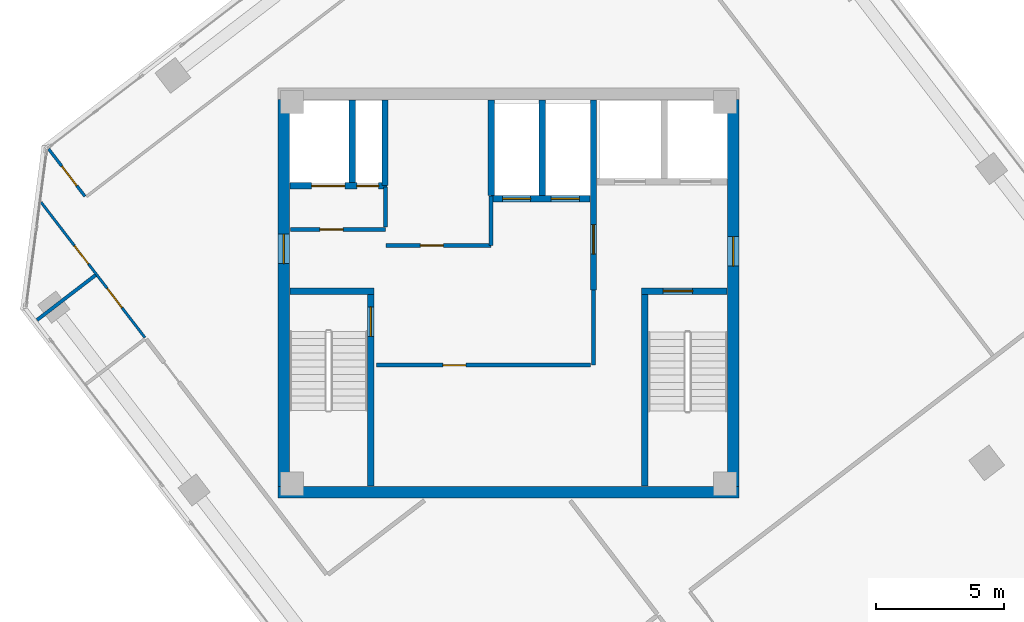
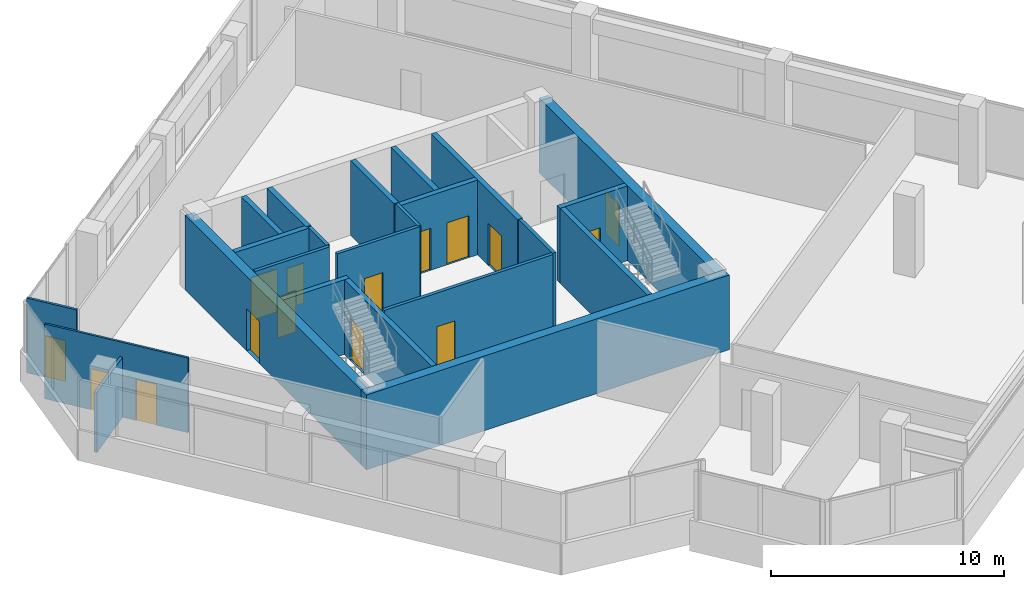
# One storey, part 13 of 17: 23 walls, 15 doors, 15 openings.
"""IFC4 building model written with IfcOpenShell, lengths in metres."""

from ifc_helpers import new_model, si_unit, direction, frame, frame_2d, origin, place, context, subcontext, project, spatial, rectangle, extrude, source, transform, mapped, material, layer, layer_set, type_object, element, fill, save


model = new_model("IFC4")

# Units and contexts
model_context = context("Model", 3, precision=1e-05, world=origin(), true_north=direction((0.0, 1.0)))
body_context = subcontext(model_context, "Body", "Model", "MODEL_VIEW")
ifc_project = project(units=[si_unit("LENGTHUNIT", "METRE"), si_unit("AREAUNIT", "SQUARE_METRE"), si_unit("VOLUMEUNIT", "CUBIC_METRE"), si_unit("PLANEANGLEUNIT", "RADIAN"), si_unit("MASSUNIT", "GRAM", prefix="KILO")], contexts=[model_context])

# Site, building, storey
site_placement = place(None, origin())
site = spatial("IfcSite", under=ifc_project, at=site_placement, CompositionType="ELEMENT")
building_placement = place(site_placement, origin())
building = spatial("IfcBuilding", under=site, at=building_placement, Name="Torre Montelarca", CompositionType="ELEMENT")
storey_placement = place(building_placement, frame((0.0, 0.0, 283.60009765625)))
storey = spatial("IfcBuildingStorey", under=building, at=storey_placement, Name="L64", CompositionType="ELEMENT", Elevation=283.60009765625)

# Wall, opening, door
ifc_material_1 = material(Name="Concrete C40/50", Category="concrete")
ifc_layer_1 = layer(ifc_material_1, 0.25, Name="Concrete C40/50", Category="concrete")
ifc_layer_set_1 = layer_set([ifc_layer_1], Name="Concrete C40/50")
wall_type_1 = type_object("IfcWallType", Name="CW-SHAFT-250", PredefinedType="SHEAR", material=ifc_layer_set_1)
wall_1_placement = place(storey_placement, frame((12.625, 24.4599609375, 0.0), z_axis=(0.0, 0.0, 1.0), x_axis=(0.0, 1.0, 0.0)))
wall_1 = element("IfcWall", 1, at=wall_1_placement, inside=storey, type_object=wall_type_1, Name="L64 Core Shear Wall SH-ST1-E", PredefinedType="SHEAR", context=body_context, shape_type="SweptSolid", body=[
    extrude(rectangle(XDim=7.489990234375, YDim=0.25, at=frame_2d((3.7451171875, 0.0))), origin(), (0.0, 0.0, 1.0), 3.919921875),
])
opening_1_placement = place(wall_1_placement, frame((5.85009765625, 0.0, 0.0)))
opening_1 = element("IfcOpeningElement", 2, at=opening_1_placement, cuts=wall_1, Name="Opening FD-ST1", PredefinedType="OPENING", context=body_context, shape_type="SweptSolid", body=[
    extrude(rectangle(XDim=1.14990234375, YDim=2.199951171875, at=frame_2d((0.574951171875, 1.10009765625))), frame((0.0, 0.135009765625, 0.0), z_axis=(0.0, -1.0, 0.0), x_axis=(1.0, 0.0, 0.0)), (0.0, 0.0, 1.0), 0.27001953125),
])
ifc_material_2 = material(Name="Galvanized steel fire door", Category="steel")
door_type_1 = type_object("IfcDoorType", Name="DR-STAIR-115", OperationType="NOTDEFINED", PredefinedType="DOOR", material=ifc_material_2)
shared_shape_1 = source(origin(), body_context, "Body", "SweptSolid", [
    extrude(rectangle(XDim=1.14990234375, YDim=2.199951171875, at=frame_2d((0.574951171875, 1.10009765625))), frame((0.0, 0.02490234375, 0.0), z_axis=(0.0, -1.0, 0.0), x_axis=(1.0, 0.0, 0.0)), (0.0, 0.0, 1.0), 0.050048828125),
])
door_1_placement = place(opening_1_placement, origin())
door_1 = element("IfcDoor", 3, at=door_1_placement, inside=storey, type_object=door_type_1, Name="L64 Exit Stair ST1 Fire Door", OperationType="SINGLE_SWING_RIGHT", OverallHeight=2.199951171875, OverallWidth=1.14990234375, PredefinedType="DOOR", context=body_context, shape_type="MappedRepresentation", body=[
    mapped(shared_shape_1, transform((0.0, 0.0, 0.0), scale=1.0)),
])
fill(opening_1, door_1)

# Walls
wall_2_placement = place(storey_placement, frame((9.4599609375, 32.074951171875, 0.0), z_axis=(0.0, 0.0, 1.0), x_axis=(1.0, 0.0, 0.0)))
element("IfcWall", 4, at=wall_2_placement, inside=storey, type_object=wall_type_1, Name="L64 Core Shear Wall SH-ST1-N", PredefinedType="SHEAR", context=body_context, shape_type="SweptSolid", body=[
    extrude(rectangle(XDim=3.2900390625, YDim=0.25, at=frame_2d((1.64501953125, 0.0))), origin(), (0.0, 0.0, 1.0), 3.919921875),
])
wall_3_placement = place(storey_placement, frame((23.31494140625, 24.4599609375, 0.0), z_axis=(0.0, 0.0, 1.0), x_axis=(0.0, 1.0, 0.0)))
element("IfcWall", 5, at=wall_3_placement, inside=storey, type_object=wall_type_1, Name="L64 Core Shear Wall SH-ST2-W", PredefinedType="SHEAR", context=body_context, shape_type="SweptSolid", body=[
    extrude(rectangle(XDim=7.489990234375, YDim=0.25, at=frame_2d((3.7451171875, 0.0))), origin(), (0.0, 0.0, 1.0), 3.919921875),
])

# Wall, opening, door
wall_4_placement = place(storey_placement, frame((23.18994140625, 32.074951171875, 0.0), z_axis=(0.0, 0.0, 1.0), x_axis=(1.0, 0.0, 0.0)))
wall_4 = element("IfcWall", 6, at=wall_4_placement, inside=storey, type_object=wall_type_1, Name="L64 Core Shear Wall SH-ST2-N", PredefinedType="SHEAR", context=body_context, shape_type="SweptSolid", body=[
    extrude(rectangle(XDim=3.35009765625, YDim=0.25, at=frame_2d((1.675048828125, 0.0))), origin(), (0.0, 0.0, 1.0), 3.919921875),
])
opening_2_placement = place(wall_4_placement, frame((0.85009765625, 0.0, 0.0)))
opening_2 = element("IfcOpeningElement", 7, at=opening_2_placement, cuts=wall_4, Name="Opening FD-ST1", PredefinedType="OPENING", context=body_context, shape_type="SweptSolid", body=[
    extrude(rectangle(XDim=1.14990234375, YDim=2.199951171875, at=frame_2d((0.574951171875, 1.10009765625))), frame((0.0, 0.135009765625, 0.0), z_axis=(0.0, -1.0, 0.0), x_axis=(1.0, 0.0, 0.0)), (0.0, 0.0, 1.0), 0.27001953125),
])
door_2_placement = place(opening_2_placement, origin())
door_2 = element("IfcDoor", 8, at=door_2_placement, inside=storey, type_object=door_type_1, Name="L64 Exit Stair ST2 Fire Door", OperationType="SINGLE_SWING_RIGHT", OverallHeight=2.199951171875, OverallWidth=1.14990234375, PredefinedType="DOOR", context=body_context, shape_type="MappedRepresentation", body=[
    mapped(shared_shape_1, transform((0.0, 0.0, 0.0), scale=1.0)),
])
fill(opening_2, door_2)

wall_5_placement = place(storey_placement, frame((21.320068359375, 32.1201171875, 0.0), z_axis=(0.0, 0.0, 1.0), x_axis=(0.0, 1.0, 0.0)))
wall_5 = element("IfcWall", 9, at=wall_5_placement, inside=storey, type_object=wall_type_1, Name="L64 Core Shear Wall SH-FFL-W", PredefinedType="SHEAR", context=body_context, shape_type="SweptSolid", body=[
    extrude(rectangle(XDim=7.419921875, YDim=0.25, at=frame_2d((3.7099609375, 0.0))), origin(), (0.0, 0.0, 1.0), 3.919921875),
])
opening_3_placement = place(wall_5_placement, frame((1.39990234375, 0.0, 0.0)))
opening_3 = element("IfcOpeningElement", 10, at=opening_3_placement, cuts=wall_5, Name="Opening FD-LB1", PredefinedType="OPENING", context=body_context, shape_type="SweptSolid", body=[
    extrude(rectangle(XDim=1.14990234375, YDim=2.199951171875, at=frame_2d((0.574951171875, 1.10009765625))), frame((0.0, 0.135009765625, 0.0), z_axis=(0.0, -1.0, 0.0), x_axis=(1.0, 0.0, 0.0)), (0.0, 0.0, 1.0), 0.27001953125),
])
ifc_material_3 = material(Name="Acoustic timber-veneered fire door", Category="wood")
door_type_2 = type_object("IfcDoorType", Name="DR-LOBBY-115", OperationType="NOTDEFINED", PredefinedType="DOOR", material=ifc_material_3)
shared_shape_2 = source(origin(), body_context, "Body", "SweptSolid", [
    extrude(rectangle(XDim=1.14990234375, YDim=2.199951171875, at=frame_2d((0.574951171875, 1.10009765625))), frame((0.0, 0.02490234375, 0.0), z_axis=(0.0, -1.0, 0.0), x_axis=(1.0, 0.0, 0.0)), (0.0, 0.0, 1.0), 0.050048828125),
])
door_3_placement = place(opening_3_placement, origin())
door_3 = element("IfcDoor", 11, at=door_3_placement, inside=storey, type_object=door_type_2, Name="L64 Lift Lobby to Firefighting Lobby Smoke Door", OperationType="SINGLE_SWING_LEFT", OverallHeight=2.199951171875, OverallWidth=1.14990234375, PredefinedType="DOOR", context=body_context, shape_type="MappedRepresentation", body=[
    mapped(shared_shape_2, transform((0.0, 0.0, 0.0), scale=1.0)),
])
fill(opening_3, door_3)

# Wall, openings, doors
wall_6_placement = place(storey_placement, frame((9.4599609375, 36.179931640625, 0.0), z_axis=(0.0, 0.0, 1.0), x_axis=(1.0, 0.0, 0.0)))
wall_6 = element("IfcWall", 12, at=wall_6_placement, inside=storey, type_object=wall_type_1, Name="L64 Core Shear Wall SH-SV1-S", PredefinedType="SHEAR", context=body_context, shape_type="SweptSolid", body=[
    extrude(rectangle(XDim=3.7900390625, YDim=0.25, at=frame_2d((1.89501953125, 0.0))), origin(), (0.0, 0.0, 1.0), 3.919921875),
])
opening_4_placement = place(wall_6_placement, frame((2.6201171875, 0.0, 0.0)))
opening_4 = element("IfcOpeningElement", 13, at=opening_4_placement, cuts=wall_6, Name="Opening FD-085", PredefinedType="OPENING", context=body_context, shape_type="SweptSolid", body=[
    extrude(rectangle(XDim=0.85009765625, YDim=2.10009765625, at=frame_2d((0.425048828125, 1.050048828125))), frame((0.0, 0.135009765625, 0.0), z_axis=(0.0, -1.0, 0.0), x_axis=(1.0, 0.0, 0.0)), (0.0, 0.0, 1.0), 0.27001953125),
])
opening_5_placement = place(wall_6_placement, frame((0.85009765625, 0.0, 0.0)))
opening_5 = element("IfcOpeningElement", 14, at=opening_5_placement, cuts=wall_6, Name="Opening LD-130", PredefinedType="OPENING", context=body_context, shape_type="SweptSolid", body=[
    extrude(rectangle(XDim=1.300048828125, YDim=2.25, at=frame_2d((0.64990234375, 1.125))), frame((0.0, 0.135009765625, 0.0), z_axis=(0.0, -1.0, 0.0), x_axis=(1.0, 0.0, 0.0)), (0.0, 0.0, 1.0), 0.27001953125),
])
ifc_material_4 = material(Name="Steel riser access fire door", Category="steel")
door_type_3 = type_object("IfcDoorType", Name="DR-RISER-085", OperationType="NOTDEFINED", PredefinedType="DOOR", material=ifc_material_4)
shared_shape_3 = source(origin(), body_context, "Body", "SweptSolid", [
    extrude(rectangle(XDim=0.85009765625, YDim=2.10009765625, at=frame_2d((0.425048828125, 1.050048828125))), frame((0.0, 0.02490234375, 0.0), z_axis=(0.0, -1.0, 0.0), x_axis=(1.0, 0.0, 0.0)), (0.0, 0.0, 1.0), 0.050048828125),
])
door_4_placement = place(opening_4_placement, origin())
door_4 = element("IfcDoor", 15, at=door_4_placement, inside=storey, type_object=door_type_3, Name="L64 Electrical Riser Shaft Access Door", OperationType="SINGLE_SWING_RIGHT", OverallHeight=2.10009765625, OverallWidth=0.85009765625, PredefinedType="DOOR", context=body_context, shape_type="MappedRepresentation", body=[
    mapped(shared_shape_3, transform((0.0, 0.0, 0.0), scale=1.0)),
])
fill(opening_4, door_4)
ifc_material_5 = material(Name="Brushed stainless steel AISI 316", Category="steel")
door_type_4 = type_object("IfcDoorType", Name="DR-LIFT-130", OperationType="SLIDING_TO_LEFT", PredefinedType="DOOR", material=ifc_material_5)
shared_shape_4 = source(origin(), body_context, "Body", "SweptSolid", [
    extrude(rectangle(XDim=1.300048828125, YDim=2.25, at=frame_2d((0.64990234375, 1.125))), frame((0.0, 0.02490234375, 0.0), z_axis=(0.0, -1.0, 0.0), x_axis=(1.0, 0.0, 0.0)), (0.0, 0.0, 1.0), 0.050048828125),
])
door_5_placement = place(opening_5_placement, origin())
door_5 = element("IfcDoor", 16, at=door_5_placement, inside=storey, type_object=door_type_4, Name="L64 Lift Landing Sliding Door SV-1", OperationType="SLIDING_TO_LEFT", OverallHeight=2.25, OverallWidth=1.300048828125, PredefinedType="DOOR", context=body_context, shape_type="MappedRepresentation", body=[
    mapped(shared_shape_4, transform((0.0, 0.0, 0.0), scale=1.0)),
])
fill(opening_5, door_5)

# Walls
wall_7_placement = place(storey_placement, frame((11.89990234375, 36.31005859375, 0.0), z_axis=(0.0, 0.0, 1.0), x_axis=(0.0, 1.0, 0.0)))
element("IfcWall", 17, at=wall_7_placement, inside=storey, type_object=wall_type_1, Name="L64 Core Shear Wall SH-SV1-E", PredefinedType="SHEAR", context=body_context, shape_type="SweptSolid", body=[
    extrude(rectangle(XDim=3.22998046875, YDim=0.25, at=frame_2d((1.614990234375, 0.0))), origin(), (0.0, 0.0, 1.0), 3.919921875),
])
wall_8_placement = place(storey_placement, frame((13.179931640625, 36.199951171875, 0.0), z_axis=(0.0, 0.0, 1.0), x_axis=(0.0, 1.0, 0.0)))
element("IfcWall", 18, at=wall_8_placement, inside=storey, type_object=wall_type_1, Name="L64 Core Shear Wall SH-RSR1-E", PredefinedType="SHEAR", context=body_context, shape_type="SweptSolid", body=[
    extrude(rectangle(XDim=3.340087890625, YDim=0.25, at=frame_2d((1.669921875, 0.0))), origin(), (0.0, 0.0, 1.0), 3.919921875),
])

# Wall, openings, doors
wall_9_placement = place(storey_placement, frame((17.320068359375, 35.679931640625, 0.0), z_axis=(0.0, 0.0, 1.0), x_axis=(1.0, 0.0, 0.0)))
wall_9 = element("IfcWall", 19, at=wall_9_placement, inside=storey, type_object=wall_type_1, Name="L64 Core Shear Wall SH-PLH-S", PredefinedType="SHEAR", context=body_context, shape_type="SweptSolid", body=[
    extrude(rectangle(XDim=3.869873046875, YDim=0.25, at=frame_2d((1.93505859375, 0.0))), origin(), (0.0, 0.0, 1.0), 3.919921875),
])
opening_6_placement = place(wall_9_placement, frame((0.449951171875, 0.0, 0.0)))
opening_6 = element("IfcOpeningElement", 20, at=opening_6_placement, cuts=wall_9, Name="Opening LD-110", PredefinedType="OPENING", context=body_context, shape_type="SweptSolid", body=[
    extrude(rectangle(XDim=1.10009765625, YDim=2.199951171875, at=frame_2d((0.550048828125, 1.10009765625))), frame((0.0, 0.135009765625, 0.0), z_axis=(0.0, -1.0, 0.0), x_axis=(1.0, 0.0, 0.0)), (0.0, 0.0, 1.0), 0.27001953125),
])
opening_7_placement = place(wall_9_placement, frame((2.35009765625, 0.0, 0.0)))
opening_7 = element("IfcOpeningElement", 21, at=opening_7_placement, cuts=wall_9, Name="Opening LD-110", PredefinedType="OPENING", context=body_context, shape_type="SweptSolid", body=[
    extrude(rectangle(XDim=1.10009765625, YDim=2.199951171875, at=frame_2d((0.550048828125, 1.10009765625))), frame((0.0, 0.135009765625, 0.0), z_axis=(0.0, -1.0, 0.0), x_axis=(1.0, 0.0, 0.0)), (0.0, 0.0, 1.0), 0.27001953125),
])
door_type_5 = type_object("IfcDoorType", Name="DR-LIFT-110", OperationType="SLIDING_TO_LEFT", PredefinedType="DOOR", material=ifc_material_5)
shared_shape_5 = source(origin(), body_context, "Body", "SweptSolid", [
    extrude(rectangle(XDim=1.10009765625, YDim=2.199951171875, at=frame_2d((0.550048828125, 1.10009765625))), frame((0.0, 0.02490234375, 0.0), z_axis=(0.0, -1.0, 0.0), x_axis=(1.0, 0.0, 0.0)), (0.0, 0.0, 1.0), 0.050048828125),
])
door_6_placement = place(opening_6_placement, origin())
door_6 = element("IfcDoor", 22, at=door_6_placement, inside=storey, type_object=door_type_5, Name="L64 Lift Landing Sliding Door PL-H1", OperationType="SLIDING_TO_LEFT", OverallHeight=2.199951171875, OverallWidth=1.10009765625, PredefinedType="DOOR", context=body_context, shape_type="MappedRepresentation", body=[
    mapped(shared_shape_5, transform((0.0, 0.0, 0.0), scale=1.0)),
])
fill(opening_6, door_6)
door_7_placement = place(opening_7_placement, origin())
door_7 = element("IfcDoor", 23, at=door_7_placement, inside=storey, type_object=door_type_5, Name="L64 Lift Landing Sliding Door PL-H2", OperationType="SLIDING_TO_RIGHT", OverallHeight=2.199951171875, OverallWidth=1.10009765625, PredefinedType="DOOR", context=body_context, shape_type="MappedRepresentation", body=[
    mapped(shared_shape_5, transform((0.0, 0.0, 0.0), scale=1.0)),
])
fill(opening_7, door_7)

# Walls
for number, where, z_axis, x_axis, name in (
    (24, (17.320068359375, 35.81005859375, 0.0), (0.0, 0.0, 1.0), (0.0, 1.0, 0.0), "L64 Core Shear Wall SH-PLH-W"),
    (25, (19.320068359375, 35.81005859375, 0.0), (0.0, 0.0, 1.0), (0.0, 1.0, 0.0), "L64 Core Shear Wall SH-PLH-M"),
):
    element("IfcWall", number, at=place(storey_placement, frame(where, z_axis=z_axis, x_axis=x_axis)), inside=storey, type_object=wall_type_1, Name=name, PredefinedType="SHEAR", context=body_context, shape_type="SweptSolid", body=[
        extrude(rectangle(XDim=3.72998046875, YDim=0.25, at=frame_2d((1.864990234375, 0.0))), origin(), (0.0, 0.0, 1.0), 3.919921875),
    ])

# Wall, opening, door
ifc_material_6 = material(Name="Concrete C55/67", Category="concrete")
ifc_layer_2 = layer(ifc_material_6, 0.449951171875, Name="Concrete C55/67", Category="concrete")
ifc_layer_set_2 = layer_set([ifc_layer_2], Name="Concrete C55/67")
wall_type_2 = type_object("IfcWallType", Name="CW-SHEAR-450", PredefinedType="SHEAR", material=ifc_layer_set_2)
wall_10_placement = place(storey_placement, frame((9.22509765625, 24.449951171875, 0.0), z_axis=(0.0, 0.0, 1.0), x_axis=(0.0, 1.0, 0.0)))
wall_10 = element("IfcWall", 26, at=wall_10_placement, inside=storey, type_object=wall_type_2, Name="L64 Core Shear Wall CW-W", PredefinedType="SHEAR", context=body_context, shape_type="SweptSolid", body=[
    extrude(rectangle(XDim=15.10009765625, YDim=0.449951171875, at=frame_2d((7.550048828125, 0.0))), origin(), (0.0, 0.0, 1.0), 3.919921875),
])
opening_8_placement = place(wall_10_placement, frame((8.699951171875, 0.0, 0.0)))
opening_8 = element("IfcOpeningElement", 27, at=opening_8_placement, cuts=wall_10, Name="Opening FD-LB1", PredefinedType="OPENING", context=body_context, shape_type="SweptSolid", body=[
    extrude(rectangle(XDim=1.14990234375, YDim=2.199951171875, at=frame_2d((0.574951171875, 1.10009765625))), frame((0.0, 0.23486328125, 0.0), z_axis=(0.0, -1.0, 0.0), x_axis=(1.0, 0.0, 0.0)), (0.0, 0.0, 1.0), 0.469970703125),
])
door_8_placement = place(opening_8_placement, origin())
door_8 = element("IfcDoor", 28, at=door_8_placement, inside=storey, type_object=door_type_2, Name="L64 Passenger Lift Lobby West Corridor Fire Door", OperationType="SINGLE_SWING_RIGHT", OverallHeight=2.199951171875, OverallWidth=1.14990234375, PredefinedType="DOOR", context=body_context, shape_type="MappedRepresentation", body=[
    mapped(shared_shape_2, transform((0.0, 0.0, 0.0), scale=1.0)),
])
fill(opening_8, door_8)

wall_11_placement = place(storey_placement, frame((26.77490234375, 24.449951171875, 0.0), z_axis=(0.0, 0.0, 1.0), x_axis=(0.0, 1.0, 0.0)))
wall_11 = element("IfcWall", 29, at=wall_11_placement, inside=storey, type_object=wall_type_2, Name="L64 Core Shear Wall CW-E", PredefinedType="SHEAR", context=body_context, shape_type="SweptSolid", body=[
    extrude(rectangle(XDim=15.10009765625, YDim=0.449951171875, at=frame_2d((7.550048828125, 0.0))), origin(), (0.0, 0.0, 1.0), 3.919921875),
])
opening_9_placement = place(wall_11_placement, frame((8.60009765625, 0.0, 0.0)))
opening_9 = element("IfcOpeningElement", 30, at=opening_9_placement, cuts=wall_11, Name="Opening FD-LB1", PredefinedType="OPENING", context=body_context, shape_type="SweptSolid", body=[
    extrude(rectangle(XDim=1.14990234375, YDim=2.199951171875, at=frame_2d((0.574951171875, 1.10009765625))), frame((0.0, 0.23486328125, 0.0), z_axis=(0.0, -1.0, 0.0), x_axis=(1.0, 0.0, 0.0)), (0.0, 0.0, 1.0), 0.469970703125),
])
door_9_placement = place(opening_9_placement, origin())
door_9 = element("IfcDoor", 31, at=door_9_placement, inside=storey, type_object=door_type_2, Name="L64 Firefighting Lift Lobby Corridor Fire Door", OperationType="SINGLE_SWING_RIGHT", OverallHeight=2.199951171875, OverallWidth=1.14990234375, PredefinedType="DOOR", context=body_context, shape_type="MappedRepresentation", body=[
    mapped(shared_shape_2, transform((0.0, 0.0, 0.0), scale=1.0)),
])
fill(opening_9, door_9)

# Wall
wall_12_placement = place(storey_placement, frame((9.0, 24.22509765625, 0.0), z_axis=(0.0, 0.0, 1.0), x_axis=(1.0, 0.0, 0.0)))
element("IfcWall", 32, at=wall_12_placement, inside=storey, type_object=wall_type_2, Name="L64 Core Shear Wall CW-S1", PredefinedType="SHEAR", context=body_context, shape_type="SweptSolid", body=[
    extrude(rectangle(XDim=18.0, YDim=0.449951171875, at=frame_2d((9.0, 0.0))), origin(), (0.0, 0.0, 1.0), 3.919921875),
])

# Wall, opening, door
ifc_material_7 = material(Name="Gypsum plasterboard on steel stud", Category="steel")
ifc_layer_3 = layer(ifc_material_7, 0.159912109375, Name="Gypsum plasterboard on steel stud", Category="steel")
ifc_layer_set_3 = layer_set([ifc_layer_3], Name="Gypsum plasterboard on steel stud")
wall_type_3 = type_object("IfcWallType", Name="PW-FIRE-160", PredefinedType="PARTITIONING", material=ifc_layer_set_3)
wall_13_placement = place(storey_placement, frame((9.489990234375, 34.47998046875, 0.0), z_axis=(0.0, 0.0, 1.0), x_axis=(1.0, 0.0, 0.0)))
wall_13 = element("IfcWall", 33, at=wall_13_placement, inside=storey, type_object=wall_type_3, Name="L64 Interior Partition CW-L64-SVS", PredefinedType="PARTITIONING", context=body_context, shape_type="SweptSolid", body=[
    extrude(rectangle(XDim=3.699951171875, YDim=0.159912109375, at=frame_2d((1.85009765625, 0.0))), origin(), (0.0, 0.0, 1.0), 3.919921875),
])
opening_10_placement = place(wall_13_placement, frame((1.14990234375, 0.0, 0.0)))
opening_10 = element("IfcOpeningElement", 34, at=opening_10_placement, cuts=wall_13, Name="Opening FD-090", PredefinedType="OPENING", context=body_context, shape_type="SweptSolid", body=[
    extrude(rectangle(XDim=0.89990234375, YDim=2.14990234375, at=frame_2d((0.449951171875, 1.074951171875))), frame((0.0, 0.08984375, 0.0), z_axis=(0.0, -1.0, 0.0), x_axis=(1.0, 0.0, 0.0)), (0.0, 0.0, 1.0), 0.179931640625),
])
ifc_material_8 = material(Name="Steel service fire door", Category="steel")
door_type_6 = type_object("IfcDoorType", Name="DR-FIRE-090", OperationType="NOTDEFINED", PredefinedType="DOOR", material=ifc_material_8)
shared_shape_6 = source(origin(), body_context, "Body", "SweptSolid", [
    extrude(rectangle(XDim=0.89990234375, YDim=2.14990234375, at=frame_2d((0.449951171875, 1.074951171875))), frame((0.0, 0.02490234375, 0.0), z_axis=(0.0, -1.0, 0.0), x_axis=(1.0, 0.0, 0.0)), (0.0, 0.0, 1.0), 0.050048828125),
])
door_10_placement = place(opening_10_placement, origin())
door_10 = element("IfcDoor", 35, at=door_10_placement, inside=storey, type_object=door_type_6, Name="L64 Interior Door 01", OperationType="SINGLE_SWING_RIGHT", OverallHeight=2.14990234375, OverallWidth=0.89990234375, PredefinedType="DOOR", context=body_context, shape_type="MappedRepresentation", body=[
    mapped(shared_shape_6, transform((0.0, 0.0, 0.0), scale=1.0)),
])
fill(opening_10, door_10)

# Wall
wall_14_placement = place(storey_placement, frame((13.199951171875, 34.570068359375, 0.0), z_axis=(0.0, 0.0, 1.0), x_axis=(0.0, 1.0, 0.0)))
element("IfcWall", 36, at=wall_14_placement, inside=storey, type_object=wall_type_3, Name="L64 Interior Partition CW-L64-SVE", PredefinedType="PARTITIONING", context=body_context, shape_type="SweptSolid", body=[
    extrude(rectangle(XDim=1.56982421875, YDim=0.159912109375, at=frame_2d((0.784912109375, 0.0))), origin(), (0.0, 0.0, 1.0), 3.919921875),
])

# Wall, opening, door
wall_15_placement = place(storey_placement, frame((13.2099609375, 33.85009765625, 0.0), z_axis=(0.0, 0.0, 1.0), x_axis=(1.0, 0.0, 0.0)))
wall_15 = element("IfcWall", 37, at=wall_15_placement, inside=storey, type_object=wall_type_3, Name="L64 Interior Partition CW-L64-FRMS", PredefinedType="PARTITIONING", context=body_context, shape_type="SweptSolid", body=[
    extrude(rectangle(XDim=4.10009765625, YDim=0.159912109375, at=frame_2d((2.050048828125, 0.0))), origin(), (0.0, 0.0, 1.0), 3.919921875),
])
opening_11_placement = place(wall_15_placement, frame((1.35009765625, 0.0, 0.0)))
opening_11 = element("IfcOpeningElement", 38, at=opening_11_placement, cuts=wall_15, Name="Opening FD-090", PredefinedType="OPENING", context=body_context, shape_type="SweptSolid", body=[
    extrude(rectangle(XDim=0.89990234375, YDim=2.14990234375, at=frame_2d((0.449951171875, 1.074951171875))), frame((0.0, 0.08984375, 0.0), z_axis=(0.0, -1.0, 0.0), x_axis=(1.0, 0.0, 0.0)), (0.0, 0.0, 1.0), 0.179931640625),
])
door_11_placement = place(opening_11_placement, origin())
door_11 = element("IfcDoor", 39, at=door_11_placement, inside=storey, type_object=door_type_6, Name="L64 Interior Door 02", OperationType="SINGLE_SWING_LEFT", OverallHeight=2.14990234375, OverallWidth=0.89990234375, PredefinedType="DOOR", context=body_context, shape_type="MappedRepresentation", body=[
    mapped(shared_shape_6, transform((0.0, 0.0, 0.0), scale=1.0)),
])
fill(opening_11, door_11)

# Wall
wall_16_placement = place(storey_placement, frame((17.320068359375, 33.860107421875, 0.0), z_axis=(0.0, 0.0, 1.0), x_axis=(0.0, 1.0, 0.0)))
element("IfcWall", 40, at=wall_16_placement, inside=storey, type_object=wall_type_3, Name="L64 Interior Partition CW-L64-FRME", PredefinedType="PARTITIONING", context=body_context, shape_type="SweptSolid", body=[
    extrude(rectangle(XDim=1.929931640625, YDim=0.159912109375, at=frame_2d((0.96484375, 0.0))), origin(), (0.0, 0.0, 1.0), 3.919921875),
])

# Wall, opening, door
wall_17_placement = place(storey_placement, frame((12.840087890625, 29.179931640625, 0.0), z_axis=(0.0, 0.0, 1.0), x_axis=(1.0, 0.0, 0.0)))
wall_17 = element("IfcWall", 41, at=wall_17_placement, inside=storey, type_object=wall_type_3, Name="L64 Interior Partition CW-L64-FRDN", PredefinedType="PARTITIONING", context=body_context, shape_type="SweptSolid", body=[
    extrude(rectangle(XDim=8.369873046875, YDim=0.159912109375, at=frame_2d((4.18505859375, 0.0))), origin(), (0.0, 0.0, 1.0), 3.919921875),
])
opening_12_placement = place(wall_17_placement, frame((2.60009765625, 0.0, 0.0)))
opening_12 = element("IfcOpeningElement", 42, at=opening_12_placement, cuts=wall_17, Name="Opening FD-090", PredefinedType="OPENING", context=body_context, shape_type="SweptSolid", body=[
    extrude(rectangle(XDim=0.89990234375, YDim=2.14990234375, at=frame_2d((0.449951171875, 1.074951171875))), frame((0.0, 0.08984375, 0.0), z_axis=(0.0, -1.0, 0.0), x_axis=(1.0, 0.0, 0.0)), (0.0, 0.0, 1.0), 0.179931640625),
])
door_12_placement = place(opening_12_placement, origin())
door_12 = element("IfcDoor", 43, at=door_12_placement, inside=storey, type_object=door_type_6, Name="L64 Interior Door 03", OperationType="SINGLE_SWING_LEFT", OverallHeight=2.14990234375, OverallWidth=0.89990234375, PredefinedType="DOOR", context=body_context, shape_type="MappedRepresentation", body=[
    mapped(shared_shape_6, transform((0.0, 0.0, 0.0), scale=1.0)),
])
fill(opening_12, door_12)

# Wall
wall_18_placement = place(storey_placement, frame((21.320068359375, 29.18994140625, 0.0), z_axis=(0.0, 0.0, 1.0), x_axis=(0.0, 1.0, 0.0)))
element("IfcWall", 44, at=wall_18_placement, inside=storey, type_object=wall_type_3, Name="L64 Interior Partition CW-L64-FRE", PredefinedType="PARTITIONING", context=body_context, shape_type="SweptSolid", body=[
    extrude(rectangle(XDim=2.920166015625, YDim=0.159912109375, at=frame_2d((1.4599609375, 0.0))), origin(), (0.0, 0.0, 1.0), 3.919921875),
])

# Wall, openings, doors
ifc_material_9 = material(Name="Acoustic laminated glass partition", Category="glass")
ifc_layer_4 = layer(ifc_material_9, 0.10009765625, Name="Acoustic laminated glass partition", Category="glass")
ifc_layer_set_4 = layer_set([ifc_layer_4], Name="Acoustic laminated glass partition")
wall_type_4 = type_object("IfcWallType", Name="PW-GLAZ-100", PredefinedType="PARTITIONING", material=ifc_layer_set_4)
wall_19_placement = place(storey_placement, frame((-0.257568359375, 35.550537109375, 0.0), z_axis=(0.0, 0.0, 1.0), x_axis=(0.608751837986, -0.79336069965, 0.0)))
wall_19 = element("IfcWall", 45, at=wall_19_placement, inside=storey, type_object=wall_type_4, Name="L64 Interior Partition W-L64-WCN", PredefinedType="PARTITIONING", context=body_context, shape_type="SweptSolid", body=[
    extrude(rectangle(XDim=6.671875, YDim=0.10009765625, at=frame_2d((3.3359375, 0.0))), origin(), (0.0, 0.0, 1.0), 3.919921875),
])
opening_13_placement = place(wall_19_placement, frame((2.14990234375, 0.0, 0.0)))
opening_13 = element("IfcOpeningElement", 46, at=opening_13_placement, cuts=wall_19, Name="Opening ID-090", PredefinedType="OPENING", context=body_context, shape_type="SweptSolid", body=[
    extrude(rectangle(XDim=0.89990234375, YDim=2.14990234375, at=frame_2d((0.449951171875, 1.074951171875))), frame((0.0, 0.06005859375, 0.0), z_axis=(0.0, -1.0, 0.0), x_axis=(1.0, 0.0, 0.0)), (0.0, 0.0, 1.0), 0.1201171875),
])
opening_14_placement = place(wall_19_placement, frame((4.25, 0.0, 0.0)))
opening_14 = element("IfcOpeningElement", 47, at=opening_14_placement, cuts=wall_19, Name="Opening ID-095", PredefinedType="OPENING", context=body_context, shape_type="SweptSolid", body=[
    extrude(rectangle(XDim=0.949951171875, YDim=2.14990234375, at=frame_2d((0.47509765625, 1.074951171875))), frame((0.0, 0.06005859375, 0.0), z_axis=(0.0, -1.0, 0.0), x_axis=(1.0, 0.0, 0.0)), (0.0, 0.0, 1.0), 0.1201171875),
])
ifc_material_10 = material(Name="Hardwood acoustic timber veneer", Category="wood")
door_type_7 = type_object("IfcDoorType", Name="DR-INT-090", OperationType="NOTDEFINED", PredefinedType="DOOR", material=ifc_material_10)
shared_shape_7 = source(origin(), body_context, "Body", "SweptSolid", [
    extrude(rectangle(XDim=0.89990234375, YDim=2.14990234375, at=frame_2d((0.449951171875, 1.074951171875))), frame((0.0, 0.02490234375, 0.0), z_axis=(0.0, -1.0, 0.0), x_axis=(1.0, 0.0, 0.0)), (0.0, 0.0, 1.0), 0.050048828125),
])
door_13_placement = place(opening_13_placement, origin())
door_13 = element("IfcDoor", 48, at=door_13_placement, inside=storey, type_object=door_type_7, Name="L64 Interior Door 04", OperationType="SINGLE_SWING_LEFT", OverallHeight=2.14990234375, OverallWidth=0.89990234375, PredefinedType="DOOR", context=body_context, shape_type="MappedRepresentation", body=[
    mapped(shared_shape_7, transform((0.0, 0.0, 0.0), scale=1.0)),
])
fill(opening_13, door_13)
door_type_8 = type_object("IfcDoorType", Name="DR-INT-095", OperationType="NOTDEFINED", PredefinedType="DOOR", material=ifc_material_10)
shared_shape_8 = source(origin(), body_context, "Body", "SweptSolid", [
    extrude(rectangle(XDim=0.949951171875, YDim=2.14990234375, at=frame_2d((0.47509765625, 1.074951171875))), frame((0.0, 0.02490234375, 0.0), z_axis=(0.0, -1.0, 0.0), x_axis=(1.0, 0.0, 0.0)), (0.0, 0.0, 1.0), 0.050048828125),
])
door_14_placement = place(opening_14_placement, origin())
door_14 = element("IfcDoor", 49, at=door_14_placement, inside=storey, type_object=door_type_8, Name="L64 Interior Door 05", OperationType="SINGLE_SWING_RIGHT", OverallHeight=2.14990234375, OverallWidth=0.949951171875, PredefinedType="DOOR", context=body_context, shape_type="MappedRepresentation", body=[
    mapped(shared_shape_8, transform((0.0, 0.0, 0.0), scale=1.0)),
])
fill(opening_14, door_14)

# Wall, opening, door
ifc_layer_5 = layer(ifc_material_7, 0.114990234375, Name="Gypsum plasterboard on steel stud", Category="steel")
ifc_layer_set_5 = layer_set([ifc_layer_5], Name="Gypsum plasterboard on steel stud")
wall_type_5 = type_object("IfcWallType", Name="PW-PART-115", PredefinedType="PARTITIONING", material=ifc_layer_set_5)
wall_20_placement = place(storey_placement, frame((0.044921875, 37.620361328125, 0.0), z_axis=(0.0, 0.0, 1.0), x_axis=(0.60874824263, -0.793363458381, 0.0)))
wall_20 = element("IfcWall", 50, at=wall_20_placement, inside=storey, type_object=wall_type_5, Name="L64 Interior Partition W-L64-WPKS", PredefinedType="PARTITIONING", context=body_context, shape_type="SweptSolid", body=[
    extrude(rectangle(XDim=2.330078125, YDim=0.114990234375, at=frame_2d((1.1650390625, 0.0))), origin(), (0.0, 0.0, 1.0), 3.919921875),
])
opening_15_placement = place(wall_20_placement, frame((0.85009765625, 0.0, 0.0)))
opening_15 = element("IfcOpeningElement", 51, at=opening_15_placement, cuts=wall_20, Name="Opening ID-095", PredefinedType="OPENING", context=body_context, shape_type="SweptSolid", body=[
    extrude(rectangle(XDim=0.949951171875, YDim=2.14990234375, at=frame_2d((0.47509765625, 1.074951171875))), frame((0.0, 0.0673828125, 0.0), z_axis=(0.0, -1.0, 0.0), x_axis=(1.0, 0.0, 0.0)), (0.0, 0.0, 1.0), 0.135009765625),
])
door_15_placement = place(opening_15_placement, origin())
door_15 = element("IfcDoor", 52, at=door_15_placement, inside=storey, type_object=door_type_8, Name="L64 Interior Door 08", OperationType="SINGLE_SWING_LEFT", OverallHeight=2.14990234375, OverallWidth=0.949951171875, PredefinedType="DOOR", context=body_context, shape_type="MappedRepresentation", body=[
    mapped(shared_shape_8, transform((0.0, 0.0, 0.0), scale=1.0)),
])
fill(opening_15, door_15)

# Wall
ifc_layer_6 = layer(ifc_material_7, 0.135009765625, Name="Gypsum plasterboard on steel stud", Category="steel")
ifc_layer_set_6 = layer_set([ifc_layer_6], Name="Gypsum plasterboard on steel stud")
wall_type_6 = type_object("IfcWallType", Name="PW-PART-135", PredefinedType="PARTITIONING", material=ifc_layer_set_6)
wall_21_placement = place(storey_placement, frame((-0.40576171875, 30.947021484375, 0.0), z_axis=(0.0, 0.0, 1.0), x_axis=(0.793370260172, 0.608739377956, 0.0)))
element("IfcWall", 53, at=wall_21_placement, inside=storey, type_object=wall_type_6, Name="L64 Interior Partition W-L64-WCD", PredefinedType="PARTITIONING", context=body_context, shape_type="SweptSolid", body=[
    extrude(rectangle(XDim=2.880126953125, YDim=0.135009765625, at=frame_2d((1.43994140625, 0.0))), origin(), (0.0, 0.0, 1.0), 3.15478515625),
])

save(model, "model.ifc")
